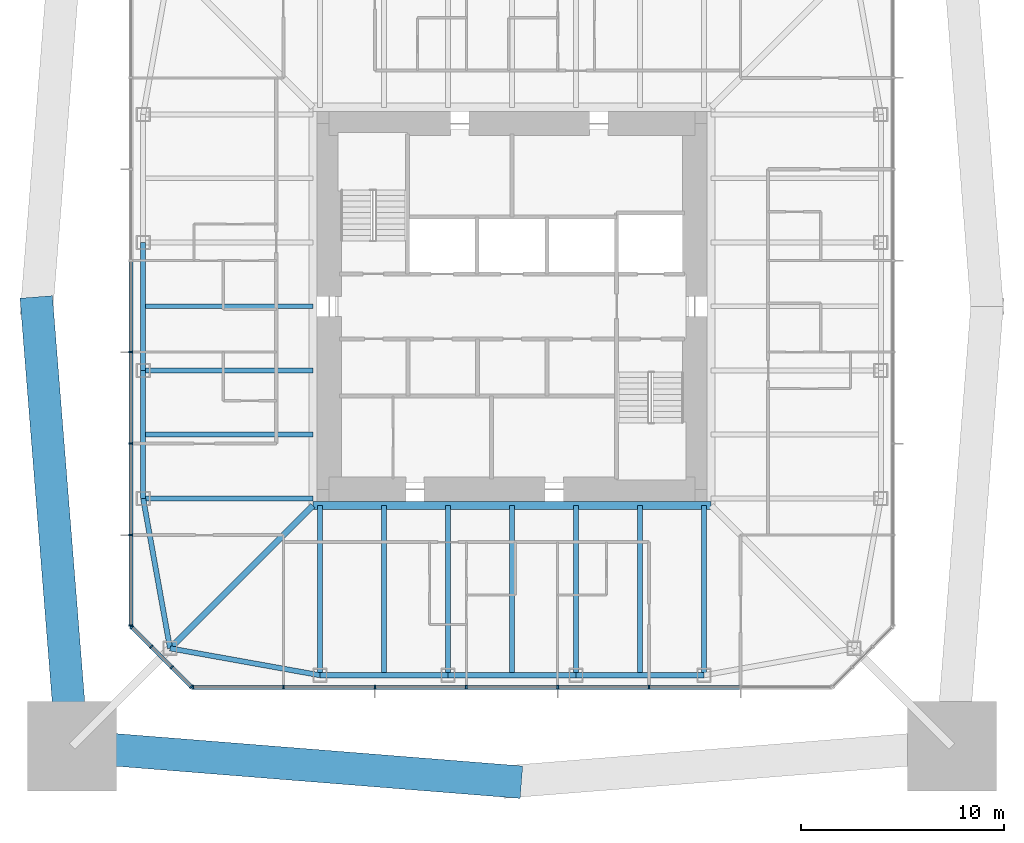
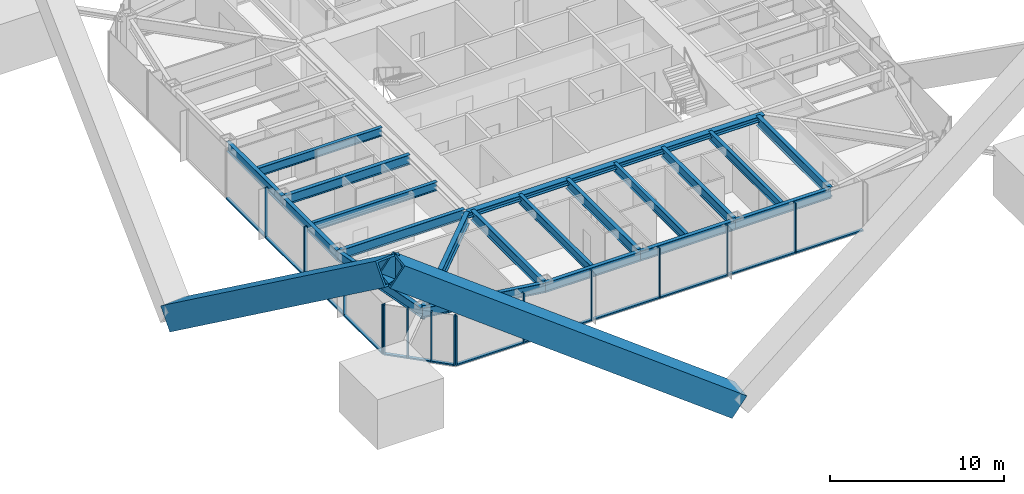
# One storey, part 2 of 13: 29 members, 20 beams, 3 elements without a shape of their own.
"""IFC4 building model written with IfcOpenShell, lengths in metres."""

from ifc_helpers import new_model, si_unit, direction, frame, origin, origin_2d, place, context, subcontext, project, spatial, rectangle, hollow_rectangle, i_section, extrude, material, material_profile, profile_set, type_object, element, aggregate, save


model = new_model("IFC4")

# Units and contexts
model_context = context("Model", 3, precision=1e-05, world=origin(), true_north=direction((0.0, 1.0)))
body_context = subcontext(model_context, "Body", "Model", "MODEL_VIEW")
ifc_project = project(units=[si_unit("LENGTHUNIT", "METRE"), si_unit("AREAUNIT", "SQUARE_METRE"), si_unit("VOLUMEUNIT", "CUBIC_METRE"), si_unit("PLANEANGLEUNIT", "RADIAN"), si_unit("MASSUNIT", "GRAM", prefix="KILO")], contexts=[model_context])

# Site, building, storey
site_placement = place(None, origin())
site = spatial("IfcSite", under=ifc_project, at=site_placement, CompositionType="ELEMENT")
building_placement = place(site_placement, origin())
building = spatial("IfcBuilding", under=site, at=building_placement, Name="Iwan Alto Co-Living Towers", CompositionType="ELEMENT")
storey_placement = place(building_placement, frame((0.0, 0.0, 167.0)))
storey = spatial("IfcBuildingStorey", under=building, at=storey_placement, Name="L45", CompositionType="ELEMENT", Elevation=167.0)

# Curtain wall, members
ifc_material_1 = material(Name="Bronze aluminium unitised frame", Category="aluminium")
curtain_wall_type_1 = type_object("IfcCurtainWallType", Name="CURTAIN WALL CW-A", PredefinedType="NOTDEFINED", material=ifc_material_1)
curtain_wall_1_placement = place(storey_placement, origin())
curtain_wall_1 = element("IfcCurtainWall", 1, at=curtain_wall_1_placement, inside=storey, type_object=curtain_wall_type_1, Name="T1 curtain wall S L45", PredefinedType="NOTDEFINED")
ifc_material_2 = material(Name="Aluminium 6063-T6 bronze anodised", Category="aluminium")
ifc_material_profile_1 = material_profile(ifc_material_2, rectangle(XDim=0.199951171875, YDim=0.080078125, at=origin_2d()), Name="AL 80X200")
ifc_profile_set_1 = profile_set([ifc_material_profile_1], Name="Aluminium 6063-T6 bronze anodised")
member_type_1 = type_object("IfcMemberType", Name="CW-A MULLION 80X200", PredefinedType="MULLION", material=ifc_profile_set_1)
member_1_placement = place(storey_placement, frame((-15.7099609375, -18.75, 0.0), z_axis=(0.0, 0.0, 1.0), x_axis=(0.0, 1.0, 0.0)))
member_1 = element("IfcMember", 2, at=member_1_placement, type_object=member_type_1, Name="CW-A mullion 1", PredefinedType="MULLION", context=body_context, shape_type="SweptSolid", body=[
    extrude(rectangle(XDim=0.199951171875, YDim=0.080078125, at=origin_2d()), origin(), (0.0, 0.0, 1.0), 3.5),
])
member_2_placement = place(storey_placement, frame((-11.25, -18.75, 0.0), z_axis=(0.0, 0.0, 1.0), x_axis=(0.0, 1.0, 0.0)))
member_2 = element("IfcMember", 3, at=member_2_placement, type_object=member_type_1, Name="CW-A mullion 2", PredefinedType="MULLION", context=body_context, shape_type="SweptSolid", body=[
    extrude(rectangle(XDim=0.199951171875, YDim=0.080078125, at=origin_2d()), origin(), (0.0, 0.0, 1.0), 3.5),
])
member_3_placement = place(storey_placement, frame((-6.75, -18.75, 0.0), z_axis=(0.0, 0.0, 1.0), x_axis=(0.0, 1.0, 0.0)))
member_3 = element("IfcMember", 4, at=member_3_placement, type_object=member_type_1, Name="CW-A mullion 3", PredefinedType="MULLION", context=body_context, shape_type="SweptSolid", body=[
    extrude(rectangle(XDim=0.199951171875, YDim=0.080078125, at=origin_2d()), origin(), (0.0, 0.0, 1.0), 3.5),
])
member_4_placement = place(storey_placement, frame((-2.25, -18.75, 0.0), z_axis=(0.0, 0.0, 1.0), x_axis=(0.0, 1.0, 0.0)))
member_4 = element("IfcMember", 5, at=member_4_placement, type_object=member_type_1, Name="CW-A mullion 4", PredefinedType="MULLION", context=body_context, shape_type="SweptSolid", body=[
    extrude(rectangle(XDim=0.199951171875, YDim=0.080078125, at=origin_2d()), origin(), (0.0, 0.0, 1.0), 3.5),
])
member_5_placement = place(storey_placement, frame((2.25, -18.75, 0.0), z_axis=(0.0, 0.0, 1.0), x_axis=(0.0, 1.0, 0.0)))
member_5 = element("IfcMember", 6, at=member_5_placement, type_object=member_type_1, Name="CW-A mullion 5", PredefinedType="MULLION", context=body_context, shape_type="SweptSolid", body=[
    extrude(rectangle(XDim=0.199951171875, YDim=0.080078125, at=origin_2d()), origin(), (0.0, 0.0, 1.0), 3.5),
])
member_6_placement = place(storey_placement, frame((6.75, -18.75, 0.0), z_axis=(0.0, 0.0, 1.0), x_axis=(0.0, 1.0, 0.0)))
member_6 = element("IfcMember", 7, at=member_6_placement, type_object=member_type_1, Name="CW-A mullion 6", PredefinedType="MULLION", context=body_context, shape_type="SweptSolid", body=[
    extrude(rectangle(XDim=0.199951171875, YDim=0.080078125, at=origin_2d()), origin(), (0.0, 0.0, 1.0), 3.5),
])

curtain_wall_2_placement = place(storey_placement, origin())
curtain_wall_2 = element("IfcCurtainWall", 8, at=curtain_wall_2_placement, inside=storey, type_object=curtain_wall_type_1, Name="T1 curtain wall W L45", PredefinedType="NOTDEFINED")
member_7_placement = place(storey_placement, frame((-18.75, -2.25, 0.0), z_axis=(0.0, 0.0, 1.0), x_axis=(1.0, 0.0, 0.0)))
member_7 = element("IfcMember", 9, at=member_7_placement, type_object=member_type_1, Name="CW-A mullion 5", PredefinedType="MULLION", context=body_context, shape_type="SweptSolid", body=[
    extrude(rectangle(XDim=0.199951171875, YDim=0.080078125, at=origin_2d()), origin(), (0.0, 0.0, 1.0), 3.5),
])
member_8_placement = place(storey_placement, frame((-18.75, -6.75, 0.0), z_axis=(0.0, 0.0, 1.0), x_axis=(1.0, 0.0, 0.0)))
member_8 = element("IfcMember", 10, at=member_8_placement, type_object=member_type_1, Name="CW-A mullion 6", PredefinedType="MULLION", context=body_context, shape_type="SweptSolid", body=[
    extrude(rectangle(XDim=0.199951171875, YDim=0.080078125, at=origin_2d()), origin(), (0.0, 0.0, 1.0), 3.5),
])
member_9_placement = place(storey_placement, frame((-18.75, -11.25, 0.0), z_axis=(0.0, 0.0, 1.0), x_axis=(1.0, 0.0, 0.0)))
member_9 = element("IfcMember", 11, at=member_9_placement, type_object=member_type_1, Name="CW-A mullion 7", PredefinedType="MULLION", context=body_context, shape_type="SweptSolid", body=[
    extrude(rectangle(XDim=0.199951171875, YDim=0.080078125, at=origin_2d()), origin(), (0.0, 0.0, 1.0), 3.5),
])
member_10_placement = place(storey_placement, frame((-18.75, -15.7099609375, 0.0), z_axis=(0.0, 0.0, 1.0), x_axis=(1.0, 0.0, 0.0)))
member_10 = element("IfcMember", 12, at=member_10_placement, type_object=member_type_1, Name="CW-A mullion 8", PredefinedType="MULLION", context=body_context, shape_type="SweptSolid", body=[
    extrude(rectangle(XDim=0.199951171875, YDim=0.080078125, at=origin_2d()), origin(), (0.0, 0.0, 1.0), 3.5),
])

# Member
ifc_material_3 = material(Name="Aluminium 6063-T6 bronze anodised", Category="aluminium")
ifc_material_profile_2 = material_profile(ifc_material_3, rectangle(XDim=0.199951171875, YDim=0.10009765625, at=origin_2d()), Name="AL 200X100")
ifc_profile_set_2 = profile_set([ifc_material_profile_2], Name="Aluminium 6063-T6 bronze anodised")
member_type_2 = type_object("IfcMemberType", Name="CW-A TRANSOM 200X100", PredefinedType="USERDEFINED", material=ifc_profile_set_2)
member_11_placement = place(storey_placement, frame((-15.669921875, -18.75, 0.050048828125), z_axis=(1.0, 0.0, 0.0), x_axis=(0.0, 1.0, 0.0)))
member_11 = element("IfcMember", 13, at=member_11_placement, type_object=member_type_2, Name="CW-A transom 1.1", ObjectType="TRANSOM", PredefinedType="USERDEFINED", context=body_context, shape_type="SweptSolid", body=[
    extrude(rectangle(XDim=0.199951171875, YDim=0.10009765625, at=origin_2d()), origin(), (0.0, 0.0, 1.0), 4.3798828125),
])

member_12_placement = place(storey_placement, frame((-11.2099609375, -18.75, 0.050048828125), z_axis=(1.0, 0.0, 0.0), x_axis=(0.0, 1.0, 0.0)))
member_12 = element("IfcMember", 14, at=member_12_placement, type_object=member_type_2, Name="CW-A transom 2.1", ObjectType="TRANSOM", PredefinedType="USERDEFINED", context=body_context, shape_type="SweptSolid", body=[
    extrude(rectangle(XDim=0.199951171875, YDim=0.10009765625, at=origin_2d()), origin(), (0.0, 0.0, 1.0), 4.419921875),
])

member_13_placement = place(storey_placement, frame((-6.7099609375, -18.75, 0.050048828125), z_axis=(1.0, 0.0, 0.0), x_axis=(0.0, 1.0, 0.0)))
member_13 = element("IfcMember", 15, at=member_13_placement, type_object=member_type_2, Name="CW-A transom 3.1", ObjectType="TRANSOM", PredefinedType="USERDEFINED", context=body_context, shape_type="SweptSolid", body=[
    extrude(rectangle(XDim=0.199951171875, YDim=0.10009765625, at=origin_2d()), origin(), (0.0, 0.0, 1.0), 4.419921875),
])

member_14_placement = place(storey_placement, frame((-2.2099609375, -18.75, 0.050048828125), z_axis=(1.0, 0.0, 0.0), x_axis=(0.0, 1.0, 0.0)))
member_14 = element("IfcMember", 16, at=member_14_placement, type_object=member_type_2, Name="CW-A transom 4.1", ObjectType="TRANSOM", PredefinedType="USERDEFINED", context=body_context, shape_type="SweptSolid", body=[
    extrude(rectangle(XDim=0.199951171875, YDim=0.10009765625, at=origin_2d()), origin(), (0.0, 0.0, 1.0), 4.419921875),
])

member_15_placement = place(storey_placement, frame((2.2900390625, -18.75, 0.050048828125), z_axis=(1.0, 0.0, 0.0), x_axis=(0.0, 1.0, 0.0)))
member_15 = element("IfcMember", 17, at=member_15_placement, type_object=member_type_2, Name="CW-A transom 5.1", ObjectType="TRANSOM", PredefinedType="USERDEFINED", context=body_context, shape_type="SweptSolid", body=[
    extrude(rectangle(XDim=0.199951171875, YDim=0.10009765625, at=origin_2d()), origin(), (0.0, 0.0, 1.0), 4.419921875),
])

member_16_placement = place(storey_placement, frame((6.7900390625, -18.75, 0.050048828125), z_axis=(1.0, 0.0, 0.0), x_axis=(0.0, 1.0, 0.0)))
member_16 = element("IfcMember", 18, at=member_16_placement, type_object=member_type_2, Name="CW-A transom 6.1", ObjectType="TRANSOM", PredefinedType="USERDEFINED", context=body_context, shape_type="SweptSolid", body=[
    extrude(rectangle(XDim=0.199951171875, YDim=0.10009765625, at=origin_2d()), origin(), (0.0, 0.0, 1.0), 4.419921875),
])

aggregate(curtain_wall_1, [member_1, member_2, member_3, member_4, member_5, member_6, member_11, member_12, member_13, member_14, member_15, member_16])

member_17_placement = place(storey_placement, frame((-18.75, 2.2099609375, 0.050048828125), z_axis=(0.0, -1.0, 0.0), x_axis=(1.0, 0.0, 0.0)))
member_17 = element("IfcMember", 19, at=member_17_placement, type_object=member_type_2, Name="CW-A transom 4.1", ObjectType="TRANSOM", PredefinedType="USERDEFINED", context=body_context, shape_type="SweptSolid", body=[
    extrude(rectangle(XDim=0.199951171875, YDim=0.10009765625, at=origin_2d()), origin(), (0.0, 0.0, 1.0), 4.419921875),
])

member_18_placement = place(storey_placement, frame((-18.75, -2.2900390625, 0.050048828125), z_axis=(0.0, -1.0, 0.0), x_axis=(1.0, 0.0, 0.0)))
member_18 = element("IfcMember", 20, at=member_18_placement, type_object=member_type_2, Name="CW-A transom 5.1", ObjectType="TRANSOM", PredefinedType="USERDEFINED", context=body_context, shape_type="SweptSolid", body=[
    extrude(rectangle(XDim=0.199951171875, YDim=0.10009765625, at=origin_2d()), origin(), (0.0, 0.0, 1.0), 4.419921875),
])

member_19_placement = place(storey_placement, frame((-18.75, -6.7900390625, 0.050048828125), z_axis=(0.0, -1.0, 0.0), x_axis=(1.0, 0.0, 0.0)))
member_19 = element("IfcMember", 21, at=member_19_placement, type_object=member_type_2, Name="CW-A transom 6.1", ObjectType="TRANSOM", PredefinedType="USERDEFINED", context=body_context, shape_type="SweptSolid", body=[
    extrude(rectangle(XDim=0.199951171875, YDim=0.10009765625, at=origin_2d()), origin(), (0.0, 0.0, 1.0), 4.419921875),
])

member_20_placement = place(storey_placement, frame((-18.75, -11.2900390625, 0.050048828125), z_axis=(0.0, -1.0, 0.0), x_axis=(1.0, 0.0, 0.0)))
member_20 = element("IfcMember", 22, at=member_20_placement, type_object=member_type_2, Name="CW-A transom 7.1", ObjectType="TRANSOM", PredefinedType="USERDEFINED", context=body_context, shape_type="SweptSolid", body=[
    extrude(rectangle(XDim=0.199951171875, YDim=0.10009765625, at=origin_2d()), origin(), (0.0, 0.0, 1.0), 4.3798828125),
])

aggregate(curtain_wall_2, [member_7, member_8, member_9, member_10, member_17, member_18, member_19, member_20])

# Curtain wall, members
ifc_material_4 = material(Name="Bronze aluminium unitised frame", Category="aluminium")
curtain_wall_type_2 = type_object("IfcCurtainWallType", Name="CURTAIN WALL CW-B", PredefinedType="NOTDEFINED", material=ifc_material_4)
curtain_wall_3_placement = place(storey_placement, origin())
curtain_wall_3 = element("IfcCurtainWall", 23, at=curtain_wall_3_placement, inside=storey, type_object=curtain_wall_type_2, Name="T1 chamfer curtain wall SW L45", PredefinedType="NOTDEFINED")
ifc_material_5 = material(Name="Aluminium 6063-T6 bronze anodised", Category="aluminium")
ifc_material_profile_3 = material_profile(ifc_material_5, rectangle(XDim=0.199951171875, YDim=0.080078125, at=origin_2d()), Name="AL 80X200")
ifc_profile_set_3 = profile_set([ifc_material_profile_3], Name="Aluminium 6063-T6 bronze anodised")
member_type_3 = type_object("IfcMemberType", Name="CW-B MULLION 80X200", PredefinedType="MULLION", material=ifc_profile_set_3)
member_21_placement = place(storey_placement, frame((-18.7216796875, -15.7783203125, 0.0), z_axis=(0.0, 0.0, 1.0), x_axis=(0.707106781187, 0.707106781187, 0.0)))
member_21 = element("IfcMember", 24, at=member_21_placement, type_object=member_type_3, Name="CW-B mullion 1", PredefinedType="MULLION", context=body_context, shape_type="SweptSolid", body=[
    extrude(rectangle(XDim=0.199951171875, YDim=0.080078125, at=origin_2d()), origin(), (0.0, 0.0, 1.0), 3.5),
])
member_22_placement = place(storey_placement, frame((-17.75, -16.75, 0.0), z_axis=(0.0, 0.0, 1.0), x_axis=(0.707106781187, 0.707106781187, 0.0)))
member_22 = element("IfcMember", 25, at=member_22_placement, type_object=member_type_3, Name="CW-B mullion 2", PredefinedType="MULLION", context=body_context, shape_type="SweptSolid", body=[
    extrude(rectangle(XDim=0.199951171875, YDim=0.080078125, at=origin_2d()), origin(), (0.0, 0.0, 1.0), 3.5),
])
member_23_placement = place(storey_placement, frame((-16.75, -17.75, 0.0), z_axis=(0.0, 0.0, 1.0), x_axis=(0.707106781187, 0.707106781187, 0.0)))
member_23 = element("IfcMember", 26, at=member_23_placement, type_object=member_type_3, Name="CW-B mullion 3", PredefinedType="MULLION", context=body_context, shape_type="SweptSolid", body=[
    extrude(rectangle(XDim=0.199951171875, YDim=0.080078125, at=origin_2d()), origin(), (0.0, 0.0, 1.0), 3.5),
])
member_24_placement = place(storey_placement, frame((-15.7783203125, -18.7216796875, 0.0), z_axis=(0.0, 0.0, 1.0), x_axis=(0.707106781187, 0.707106781187, 0.0)))
member_24 = element("IfcMember", 27, at=member_24_placement, type_object=member_type_3, Name="CW-B mullion 4", PredefinedType="MULLION", context=body_context, shape_type="SweptSolid", body=[
    extrude(rectangle(XDim=0.199951171875, YDim=0.080078125, at=origin_2d()), origin(), (0.0, 0.0, 1.0), 3.5),
])
ifc_material_6 = material(Name="Aluminium 6063-T6 bronze anodised", Category="aluminium")
ifc_material_profile_4 = material_profile(ifc_material_6, rectangle(XDim=0.199951171875, YDim=0.10009765625, at=origin_2d()), Name="AL 200X100")
ifc_profile_set_4 = profile_set([ifc_material_profile_4], Name="Aluminium 6063-T6 bronze anodised")
member_type_4 = type_object("IfcMemberType", Name="CW-B TRANSOM 200X100", PredefinedType="USERDEFINED", material=ifc_profile_set_4)
member_25_placement = place(storey_placement, frame((-18.693359375, -15.806640625, 0.050048828125), z_axis=(0.707106781187, -0.707106781187, 0.0), x_axis=(0.707106781187, 0.707106781187, 0.0)))
member_25 = element("IfcMember", 28, at=member_25_placement, type_object=member_type_4, Name="CW-B transom 1.1", ObjectType="TRANSOM", PredefinedType="USERDEFINED", context=body_context, shape_type="SweptSolid", body=[
    extrude(rectangle(XDim=0.199951171875, YDim=0.10009765625, at=origin_2d()), origin(), (0.0, 0.0, 1.0), 1.2939453125),
])
member_26_placement = place(storey_placement, frame((-17.7216796875, -16.7783203125, 0.050048828125), z_axis=(0.707106781187, -0.707106781187, 0.0), x_axis=(0.707106781187, 0.707106781187, 0.0)))
member_26 = element("IfcMember", 29, at=member_26_placement, type_object=member_type_4, Name="CW-B transom 2.1", ObjectType="TRANSOM", PredefinedType="USERDEFINED", context=body_context, shape_type="SweptSolid", body=[
    extrude(rectangle(XDim=0.199951171875, YDim=0.10009765625, at=origin_2d()), origin(), (0.0, 0.0, 1.0), 1.334228515625),
])
member_27_placement = place(storey_placement, frame((-16.7216796875, -17.7783203125, 0.050048828125), z_axis=(0.707106781187, -0.707106781187, 0.0), x_axis=(0.707106781187, 0.707106781187, 0.0)))
member_27 = element("IfcMember", 30, at=member_27_placement, type_object=member_type_4, Name="CW-B transom 3.1", ObjectType="TRANSOM", PredefinedType="USERDEFINED", context=body_context, shape_type="SweptSolid", body=[
    extrude(rectangle(XDim=0.199951171875, YDim=0.10009765625, at=origin_2d()), origin(), (0.0, 0.0, 1.0), 1.2939453125),
])
aggregate(curtain_wall_3, [member_21, member_22, member_23, member_24, member_25, member_26, member_27])

# Beams
ifc_material_7 = material(Name="Steel ASTM A992 Gr 50", Category="steel")
ifc_material_profile_5 = material_profile(ifc_material_7, i_section(OverallWidth=0.398681640625, OverallDepth=0.385986328125, WebThickness=0.02099609375, FlangeThickness=0.033203125, at=origin_2d()), Name="W14X176")
ifc_profile_set_5 = profile_set([ifc_material_profile_5], Name="Steel ASTM A992 Gr 50")
beam_type_1 = type_object("IfcBeamType", Name="T1 CORE LEDGER BEAM W14X176", PredefinedType="BEAM", material=ifc_profile_set_5)
beam_1_placement = place(storey_placement, frame((-9.79931640625, -9.79931640625, 3.076904296875), z_axis=(1.0, 0.0, 0.0), x_axis=(0.0, 1.0, 0.0)))
element("IfcBeam", 31, at=beam_1_placement, inside=storey, type_object=beam_type_1, Name="T1 core ledger beam S L46", PredefinedType="BEAM", context=body_context, shape_type="SweptSolid", body=[
    extrude(i_section(OverallWidth=0.398681640625, OverallDepth=0.385986328125, WebThickness=0.02099609375, FlangeThickness=0.033203125, at=origin_2d()), origin(), (0.0, 0.0, 1.0), 19.5986328125),
])
ifc_material_8 = material(Name="Steel ASTM A992 Gr 50", Category="steel")
ifc_material_profile_6 = material_profile(ifc_material_8, i_section(OverallWidth=0.2919921875, OverallDepth=0.8408203125, WebThickness=0.0146484375, FlangeThickness=0.021728515625, at=origin_2d()), Name="W33X130")
ifc_profile_set_6 = profile_set([ifc_material_profile_6], Name="Steel ASTM A992 Gr 50")
beam_type_2 = type_object("IfcBeamType", Name="T1 CORNER GIRDER W33X130", PredefinedType="BEAM", material=ifc_profile_set_6)
beam_2_placement = place(storey_placement, frame((-16.82568359375, -16.82568359375, 2.849609375), z_axis=(0.707106781187, 0.707106781187, 0.0), x_axis=(-0.707106781187, 0.707106781187, 0.0)))
element("IfcBeam", 32, at=beam_2_placement, inside=storey, type_object=beam_type_2, Name="T1 corner girder CSW L46", PredefinedType="BEAM", context=body_context, shape_type="SweptSolid", body=[
    extrude(i_section(OverallWidth=0.2919921875, OverallDepth=0.8408203125, WebThickness=0.0146484375, FlangeThickness=0.021728515625, at=origin_2d()), origin(), (0.0, 0.0, 1.0), 9.936767578125),
])
ifc_material_9 = material(Name="Steel ASTM A992 Gr 50", Category="steel")
ifc_material_profile_7 = material_profile(ifc_material_9, i_section(OverallWidth=0.25390625, OverallDepth=0.683349609375, WebThickness=0.012451171875, FlangeThickness=0.018798828125, at=origin_2d()), Name="W27X94")
ifc_profile_set_7 = profile_set([ifc_material_profile_7], Name="Steel ASTM A992 Gr 50")
beam_type_3 = type_object("IfcBeamType", Name="T1 EDGE BEAM W27X94", PredefinedType="BEAM", material=ifc_profile_set_7)
beam_3_placement = place(storey_placement, frame((-16.82568359375, -16.82568359375, 2.928466796875), z_axis=(0.98426263553, -0.17671181143, 0.0), x_axis=(0.17671181143, 0.98426263553, 0.0)))
element("IfcBeam", 33, at=beam_3_placement, inside=storey, type_object=beam_type_3, Name="T1 edge beam CSW L46", PredefinedType="BEAM", context=body_context, shape_type="SweptSolid", body=[
    extrude(i_section(OverallWidth=0.25390625, OverallDepth=0.683349609375, WebThickness=0.012451171875, FlangeThickness=0.018798828125, at=origin_2d()), origin(), (0.0, 0.0, 1.0), 7.49365234375),
])
beam_4_placement = place(storey_placement, frame((-9.449951171875, -18.14990234375, 2.928466796875), z_axis=(1.0, 0.0, 0.0), x_axis=(0.0, 1.0, 0.0)))
element("IfcBeam", 34, at=beam_4_placement, inside=storey, type_object=beam_type_3, Name="T1 edge beam S1 L46", PredefinedType="BEAM", context=body_context, shape_type="SweptSolid", body=[
    extrude(i_section(OverallWidth=0.25390625, OverallDepth=0.683349609375, WebThickness=0.012451171875, FlangeThickness=0.018798828125, at=origin_2d()), origin(), (0.0, 0.0, 1.0), 6.300048828125),
])
beam_5_placement = place(storey_placement, frame((-3.14990234375, -18.14990234375, 2.928466796875), z_axis=(1.0, 0.0, 0.0), x_axis=(0.0, 1.0, 0.0)))
element("IfcBeam", 35, at=beam_5_placement, inside=storey, type_object=beam_type_3, Name="T1 edge beam S2 L46", PredefinedType="BEAM", context=body_context, shape_type="SweptSolid", body=[
    extrude(i_section(OverallWidth=0.25390625, OverallDepth=0.683349609375, WebThickness=0.012451171875, FlangeThickness=0.018798828125, at=origin_2d()), origin(), (0.0, 0.0, 1.0), 6.2998046875),
])
beam_6_placement = place(storey_placement, frame((3.14990234375, -18.14990234375, 2.928466796875), z_axis=(1.0, 0.0, 0.0), x_axis=(0.0, 1.0, 0.0)))
element("IfcBeam", 36, at=beam_6_placement, inside=storey, type_object=beam_type_3, Name="T1 edge beam S3 L46", PredefinedType="BEAM", context=body_context, shape_type="SweptSolid", body=[
    extrude(i_section(OverallWidth=0.25390625, OverallDepth=0.683349609375, WebThickness=0.012451171875, FlangeThickness=0.018798828125, at=origin_2d()), origin(), (0.0, 0.0, 1.0), 6.300048828125),
])
beam_7_placement = place(storey_placement, frame((-18.14990234375, 3.14990234375, 2.928466796875), z_axis=(0.0, -1.0, 0.0), x_axis=(1.0, 0.0, 0.0)))
element("IfcBeam", 37, at=beam_7_placement, inside=storey, type_object=beam_type_3, Name="T1 edge beam W2 L46", PredefinedType="BEAM", context=body_context, shape_type="SweptSolid", body=[
    extrude(i_section(OverallWidth=0.25390625, OverallDepth=0.683349609375, WebThickness=0.012451171875, FlangeThickness=0.018798828125, at=origin_2d()), origin(), (0.0, 0.0, 1.0), 6.2998046875),
])
beam_8_placement = place(storey_placement, frame((-18.14990234375, -3.14990234375, 2.928466796875), z_axis=(0.0, -1.0, 0.0), x_axis=(1.0, 0.0, 0.0)))
element("IfcBeam", 38, at=beam_8_placement, inside=storey, type_object=beam_type_3, Name="T1 edge beam W3 L46", PredefinedType="BEAM", context=body_context, shape_type="SweptSolid", body=[
    extrude(i_section(OverallWidth=0.25390625, OverallDepth=0.683349609375, WebThickness=0.012451171875, FlangeThickness=0.018798828125, at=origin_2d()), origin(), (0.0, 0.0, 1.0), 6.300048828125),
])
beam_9_placement = place(storey_placement, frame((-18.14990234375, -9.449951171875, 2.928466796875), z_axis=(0.17671181143, -0.98426263553, 0.0), x_axis=(0.98426263553, 0.17671181143, 0.0)))
element("IfcBeam", 39, at=beam_9_placement, inside=storey, type_object=beam_type_3, Name="T1 edge beam W4 L46", PredefinedType="BEAM", context=body_context, shape_type="SweptSolid", body=[
    extrude(i_section(OverallWidth=0.25390625, OverallDepth=0.683349609375, WebThickness=0.012451171875, FlangeThickness=0.018798828125, at=origin_2d()), origin(), (0.0, 0.0, 1.0), 7.49365234375),
])

# Members
ifc_material_10 = material(Name="Steel ASTM A572 Gr 42", Category="steel")
ifc_material_profile_8 = material_profile(ifc_material_10, hollow_rectangle(XDim=1.60009765625, YDim=1.60009765625, WallThickness=0.1201171875, at=origin_2d()), Name="BOX 1600X1600X120")
ifc_profile_set_8 = profile_set([ifc_material_profile_8], Name="Steel ASTM A572 Gr 42")
member_type_5 = type_object("IfcMemberType", Name="T1 MEGA BRACE BOX 1600X1600X120", PredefinedType="BRACE", material=ifc_profile_set_8)
for number, where, z_axis, x_axis, name in (
    (40, (0.0, -23.37548828125, -5.14501953125), (-0.808833616819, 0.064467353838, 0.584493062913), (-0.07945212803, -0.996838682712, 0.0), "T1 mega brace Z3A S 2 upper"),
    (41, (-23.37548828125, 0.0, -5.14501953125), (0.064467353838, -0.808833616819, 0.584493062913), (0.996838682712, 0.07945212803, 0.0), "T1 mega brace Z3A W 1 upper"),
):
    element("IfcMember", number, at=place(storey_placement, frame(where, z_axis=z_axis, x_axis=x_axis)), inside=storey, type_object=member_type_5, Name=name, PredefinedType="BRACE", context=body_context, shape_type="SweptSolid", body=[
        extrude(hollow_rectangle(XDim=1.60009765625, YDim=1.60009765625, WallThickness=0.1201171875, at=origin_2d()), origin(), (0.0, 0.0, 1.0), 26.766845703125),
    ])

# Beams
ifc_material_11 = material(Name="Steel ASTM A992 Gr 50", Category="steel")
ifc_material_profile_9 = material_profile(ifc_material_11, i_section(OverallWidth=0.25390625, OverallDepth=0.683349609375, WebThickness=0.012451171875, FlangeThickness=0.018798828125, at=origin_2d()), Name="W27X94")
ifc_profile_set_9 = profile_set([ifc_material_profile_9], Name="Steel ASTM A992 Gr 50")
beam_type_4 = type_object("IfcBeamType", Name="T1 RADIAL BEAM W27X94", PredefinedType="BEAM", material=ifc_profile_set_9)
for number, where, z_axis, x_axis, name in (
    (42, (-9.449951171875, -18.14990234375, 2.928466796875), (0.0, 1.0, 0.0), (-1.0, 0.0, 0.0), "T1 radial beam S1 L46"),
    (43, (-3.14990234375, -18.14990234375, 2.928466796875), (0.0, 1.0, 0.0), (-1.0, 0.0, 0.0), "T1 radial beam S2 L46"),
    (44, (3.14990234375, -18.14990234375, 2.928466796875), (0.0, 1.0, 0.0), (-1.0, 0.0, 0.0), "T1 radial beam S3 L46"),
    (45, (9.449951171875, -18.14990234375, 2.928466796875), (0.0, 1.0, 0.0), (-1.0, 0.0, 0.0), "T1 radial beam S4 L46"),
    (46, (-18.14990234375, -3.14990234375, 2.928466796875), (1.0, 0.0, 0.0), (0.0, 1.0, 0.0), "T1 radial beam W3 L46"),
    (47, (-18.14990234375, -9.449951171875, 2.928466796875), (1.0, 0.0, 0.0), (0.0, 1.0, 0.0), "T1 radial beam W4 L46"),
):
    element("IfcBeam", number, at=place(storey_placement, frame(where, z_axis=z_axis, x_axis=x_axis)), inside=storey, type_object=beam_type_4, Name=name, PredefinedType="BEAM", context=body_context, shape_type="SweptSolid", body=[
        extrude(i_section(OverallWidth=0.25390625, OverallDepth=0.683349609375, WebThickness=0.012451171875, FlangeThickness=0.018798828125, at=origin_2d()), origin(), (0.0, 0.0, 1.0), 8.3505859375),
    ])
ifc_material_12 = material(Name="Steel ASTM A992 Gr 50", Category="steel")
ifc_material_profile_10 = material_profile(ifc_material_12, i_section(OverallWidth=0.228271484375, OverallDepth=0.607177734375, WebThickness=0.01123046875, FlangeThickness=0.017333984375, at=origin_2d()), Name="W24X76")
ifc_profile_set_10 = profile_set([ifc_material_profile_10], Name="Steel ASTM A992 Gr 50")
beam_type_5 = type_object("IfcBeamType", Name="T1 SECONDARY BEAM W24X76", PredefinedType="JOIST", material=ifc_profile_set_10)
for number, where, z_axis, x_axis, name in (
    (48, (-6.300048828125, -18.14990234375, 2.966552734375), (0.0, 1.0, 0.0), (-1.0, 0.0, 0.0), "T1 secondary beam S1 L46"),
    (49, (0.0, -18.14990234375, 2.966552734375), (0.0, 1.0, 0.0), (-1.0, 0.0, 0.0), "T1 secondary beam S2 L46"),
    (50, (6.300048828125, -18.14990234375, 2.966552734375), (0.0, 1.0, 0.0), (-1.0, 0.0, 0.0), "T1 secondary beam S3 L46"),
    (51, (-18.14990234375, 0.0, 2.966552734375), (1.0, 0.0, 0.0), (0.0, 1.0, 0.0), "T1 secondary beam W2 L46"),
    (52, (-18.14990234375, -6.300048828125, 2.966552734375), (1.0, 0.0, 0.0), (0.0, 1.0, 0.0), "T1 secondary beam W3 L46"),
):
    element("IfcBeam", number, at=place(storey_placement, frame(where, z_axis=z_axis, x_axis=x_axis)), inside=storey, type_object=beam_type_5, Name=name, PredefinedType="JOIST", context=body_context, shape_type="SweptSolid", body=[
        extrude(i_section(OverallWidth=0.228271484375, OverallDepth=0.607177734375, WebThickness=0.01123046875, FlangeThickness=0.017333984375, at=origin_2d()), origin(), (0.0, 0.0, 1.0), 8.3505859375),
    ])

save(model, "model.ifc")
